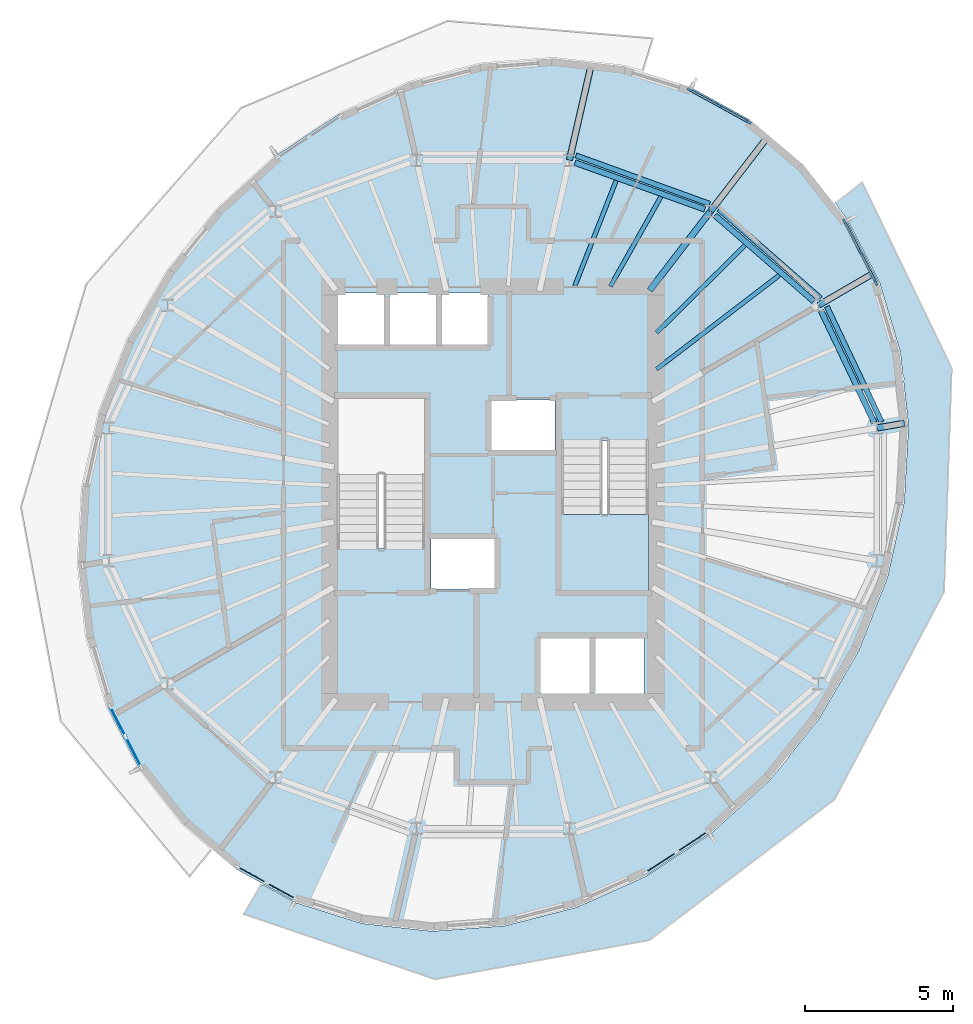
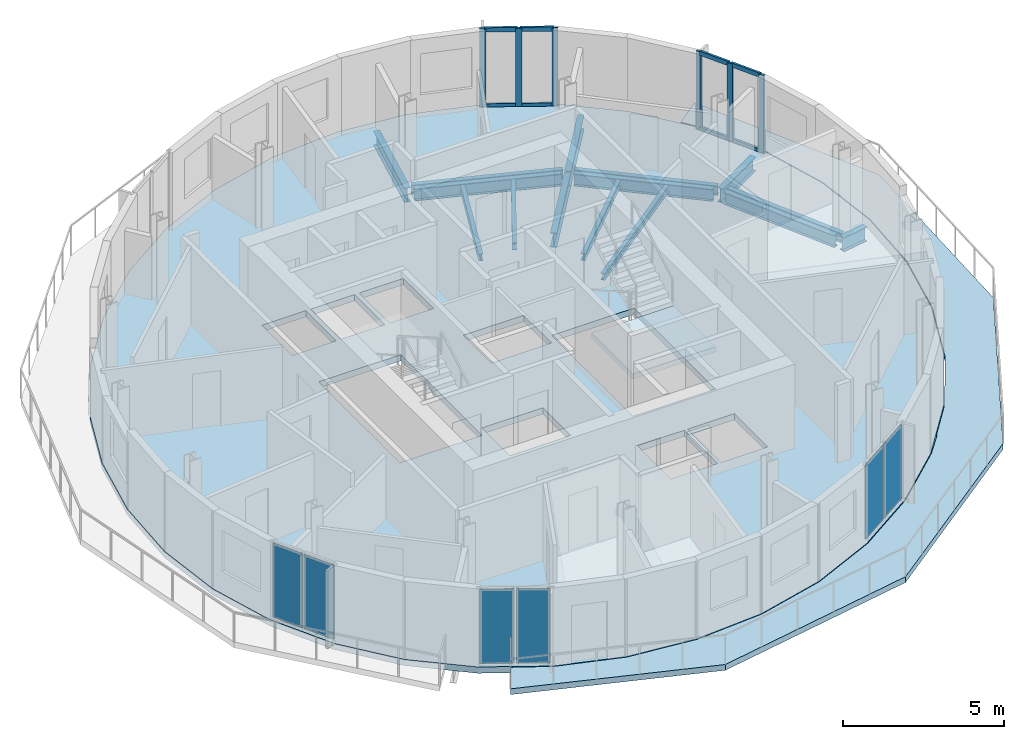
# One storey, part 3 of 11: 15 beams, 14 members, 6 plates, 3 slabs, 6 elements without a shape of their own.
"""IFC4 building model written with IfcOpenShell, lengths in metres."""

from ifc_helpers import new_model, si_unit, direction, frame, origin, origin_2d, place, context, subcontext, project, spatial, polyline, rectangle, i_section, outline, extrude, material, layer, layer_set, material_profile, profile_set, type_object, element, aggregate, save


model = new_model("IFC4")

# Units and contexts
model_context = context("Model", 3, precision=1e-05, world=origin(), true_north=direction((0.0, 1.0)))
body_context = subcontext(model_context, "Body", "Model", "MODEL_VIEW")
ifc_project = project(units=[si_unit("LENGTHUNIT", "METRE"), si_unit("AREAUNIT", "SQUARE_METRE"), si_unit("VOLUMEUNIT", "CUBIC_METRE"), si_unit("PLANEANGLEUNIT", "RADIAN"), si_unit("MASSUNIT", "GRAM", prefix="KILO")], contexts=[model_context])

# Site, building, storey
site_placement = place(None, origin())
site = spatial("IfcSite", under=ifc_project, at=site_placement, CompositionType="ELEMENT")
building_placement = place(site_placement, origin())
building = spatial("IfcBuilding", under=site, at=building_placement, Name="Veldorim Arch Residences", CompositionType="ELEMENT")
storey_placement = place(building_placement, frame((0.0, 0.0, 223.840087890625)))
storey = spatial("IfcBuildingStorey", under=building, at=storey_placement, Name="L67", CompositionType="ELEMENT", Elevation=223.840087890625)

# Beams
ifc_material_1 = material(Name="Steel S355", Category="steel")
ifc_material_profile_1 = material_profile(ifc_material_1, i_section(OverallWidth=0.2119140625, OverallDepth=0.54443359375, WebThickness=0.0126953125, FlangeThickness=0.021240234375, at=origin_2d()), Name="UB533x210x122")
ifc_profile_set_1 = profile_set([ifc_material_profile_1], Name="Steel S355")
beam_type_1 = type_object("IfcBeamType", Name="Structural Steel Beam UB533x210x122", PredefinedType="BEAM", material=ifc_profile_set_1)
beam_1_placement = place(storey_placement, frame((44.966064453125, 26.242919921875, -0.512451171875), z_axis=(0.985342848414, 0.170585670791, 0.0), x_axis=(-0.170585670791, 0.985342848414, 0.0)))
element("IfcBeam", 1, at=beam_1_placement, inside=storey, type_object=beam_type_1, Name="L67 radial edge cantilever girder 01", PredefinedType="BEAM", context=body_context, shape_type="SweptSolid", body=[
    extrude(i_section(OverallWidth=0.2119140625, OverallDepth=0.54443359375, WebThickness=0.0126953125, FlangeThickness=0.021240234375, at=origin_2d()), origin(), (0.0, 0.0, 1.0), 0.927490234375),
])
beam_2_placement = place(storey_placement, frame((42.99267578125, 30.387939453125, -0.512451171875), z_axis=(0.864613318974, 0.502437865465, 0.0), x_axis=(-0.502437865465, 0.864613318974, 0.0)))
element("IfcBeam", 2, at=beam_2_placement, inside=storey, type_object=beam_type_1, Name="L67 radial edge cantilever girder 02", PredefinedType="BEAM", context=body_context, shape_type="SweptSolid", body=[
    extrude(i_section(OverallWidth=0.2119140625, OverallDepth=0.54443359375, WebThickness=0.0126953125, FlangeThickness=0.021240234375, at=origin_2d()), origin(), (0.0, 0.0, 1.0), 2.045166015625),
])
beam_3_placement = place(storey_placement, frame((37.28662109375, 30.881103515625, -0.512451171875), z_axis=(0.609258442308, 0.792971721108, 0.0), x_axis=(-0.792971721108, 0.609258442308, 0.0)))
element("IfcBeam", 3, at=beam_3_placement, inside=storey, type_object=beam_type_1, Name="L67 radial floor girder 03", PredefinedType="BEAM", context=body_context, shape_type="SweptSolid", body=[
    extrude(i_section(OverallWidth=0.2119140625, OverallDepth=0.54443359375, WebThickness=0.0126953125, FlangeThickness=0.021240234375, at=origin_2d()), origin(), (0.0, 0.0, 1.0), 3.339599609375),
])
beam_4_placement = place(storey_placement, frame((39.345703125, 33.561279296875, -0.512451171875), z_axis=(0.609235463965, 0.792989375369, 0.0), x_axis=(-0.792989375369, 0.609235463965, 0.0)))
element("IfcBeam", 4, at=beam_4_placement, inside=storey, type_object=beam_type_1, Name="L67 radial edge cantilever girder 03", PredefinedType="BEAM", context=body_context, shape_type="SweptSolid", body=[
    extrude(i_section(OverallWidth=0.2119140625, OverallDepth=0.54443359375, WebThickness=0.0126953125, FlangeThickness=0.021240234375, at=origin_2d()), origin(), (0.0, 0.0, 1.0), 3.103759765625),
])
beam_5_placement = place(storey_placement, frame((34.57958984375, 35.27880859375, -0.512451171875), z_axis=(0.223019615736, 0.97481395712, 0.0), x_axis=(-0.97481395712, 0.223019615736, 0.0)))
element("IfcBeam", 5, at=beam_5_placement, inside=storey, type_object=beam_type_1, Name="L67 radial edge cantilever girder 04", PredefinedType="BEAM", context=body_context, shape_type="SweptSolid", body=[
    extrude(i_section(OverallWidth=0.2119140625, OverallDepth=0.54443359375, WebThickness=0.0126953125, FlangeThickness=0.021240234375, at=origin_2d()), origin(), (0.0, 0.0, 1.0), 3.2666015625),
])
ifc_material_2 = material(Name="Steel S355", Category="steel")
ifc_material_profile_2 = material_profile(ifc_material_2, i_section(OverallWidth=0.146484375, OverallDepth=0.256103515625, WebThickness=0.00634765625, FlangeThickness=0.010986328125, at=origin_2d()), Name="UB254x146x37")
ifc_profile_set_2 = profile_set([ifc_material_profile_2], Name="Steel S355")
beam_type_2 = type_object("IfcBeamType", Name="Structural Steel Joist UB254x146x37", PredefinedType="JOIST", material=ifc_profile_set_2)
beam_6_placement = place(storey_placement, frame((37.515869140625, 28.222900390625, -0.3681640625), z_axis=(0.794013672216, 0.607899899929, 0.0), x_axis=(-0.607899899929, 0.794013672216, 0.0)))
element("IfcBeam", 6, at=beam_6_placement, inside=storey, type_object=beam_type_2, Name="L67 secondary radial floor joist 02-1", PredefinedType="JOIST", context=body_context, shape_type="SweptSolid", body=[
    extrude(i_section(OverallWidth=0.146484375, OverallDepth=0.256103515625, WebThickness=0.00634765625, FlangeThickness=0.010986328125, at=origin_2d()), origin(), (0.0, 0.0, 1.0), 5.217041015625),
])
beam_7_placement = place(storey_placement, frame((37.51416015625, 29.44775390625, -0.3681640625), z_axis=(0.711396725432, 0.702790650937, 0.0), x_axis=(-0.702790650937, 0.711396725432, 0.0)))
element("IfcBeam", 7, at=beam_7_placement, inside=storey, type_object=beam_type_2, Name="L67 secondary radial floor joist 02-2", PredefinedType="JOIST", context=body_context, shape_type="SweptSolid", body=[
    extrude(i_section(OverallWidth=0.146484375, OverallDepth=0.256103515625, WebThickness=0.00634765625, FlangeThickness=0.010986328125, at=origin_2d()), origin(), (0.0, 0.0, 1.0), 4.198486328125),
])
beam_8_placement = place(storey_placement, frame((35.960205078125, 31.017333984375, -0.3681640625), z_axis=(0.491452469585, 0.870904397818, 0.0), x_axis=(-0.870904397818, 0.491452469585, 0.0)))
element("IfcBeam", 8, at=beam_8_placement, inside=storey, type_object=beam_type_2, Name="L67 secondary radial floor joist 03-1", PredefinedType="JOIST", context=body_context, shape_type="SweptSolid", body=[
    extrude(i_section(OverallWidth=0.146484375, OverallDepth=0.256103515625, WebThickness=0.00634765625, FlangeThickness=0.010986328125, at=origin_2d()), origin(), (0.0, 0.0, 1.0), 3.472412109375),
])
beam_9_placement = place(storey_placement, frame((34.75634765625, 31.0185546875, -0.3681640625), z_axis=(0.365581383042, 0.930779379001, 0.0), x_axis=(-0.930779379001, 0.365581383042, 0.0)))
element("IfcBeam", 9, at=beam_9_placement, inside=storey, type_object=beam_type_2, Name="L67 secondary radial floor joist 03-2", PredefinedType="JOIST", context=body_context, shape_type="SweptSolid", body=[
    extrude(i_section(OverallWidth=0.146484375, OverallDepth=0.256103515625, WebThickness=0.00634765625, FlangeThickness=0.010986328125, at=origin_2d()), origin(), (0.0, 0.0, 1.0), 3.83056640625),
])
ifc_material_3 = material(Name="Steel S355", Category="steel")
ifc_material_profile_3 = material_profile(ifc_material_3, i_section(OverallWidth=0.172119140625, OverallDepth=0.35791015625, WebThickness=0.008056640625, FlangeThickness=0.012939453125, at=origin_2d()), Name="UB356x171x57")
ifc_profile_set_3 = profile_set([ifc_material_profile_3], Name="Steel S355")
beam_type_3 = type_object("IfcBeamType", Name="Structural Steel Spandrel UB356x171x57", PredefinedType="SPANDREL", material=ifc_profile_set_3)
beam_10_placement = place(storey_placement, frame((45.106201171875, 26.4423828125, -0.439208984375), z_axis=(-0.428468601304, 0.903556670994, 0.0), x_axis=(-0.903556670994, -0.428468601304, 0.0)))
element("IfcBeam", 10, at=beam_10_placement, inside=storey, type_object=beam_type_3, Name="L67 perimeter chord spandrel beam 01", PredefinedType="SPANDREL", context=body_context, shape_type="SweptSolid", body=[
    extrude(i_section(OverallWidth=0.172119140625, OverallDepth=0.35791015625, WebThickness=0.008056640625, FlangeThickness=0.012939453125, at=origin_2d()), origin(), (0.0, 0.0, 1.0), 4.31005859375),
])
beam_11_placement = place(storey_placement, frame((43.048095703125, 30.6162109375, -0.439208984375), z_axis=(-0.752868439096, 0.658171036596, 0.0), x_axis=(-0.658171036596, -0.752868439096, 0.0)))
element("IfcBeam", 11, at=beam_11_placement, inside=storey, type_object=beam_type_3, Name="L67 perimeter chord spandrel beam 02", PredefinedType="SPANDREL", context=body_context, shape_type="SweptSolid", body=[
    extrude(i_section(OverallWidth=0.172119140625, OverallDepth=0.35791015625, WebThickness=0.008056640625, FlangeThickness=0.012939453125, at=origin_2d()), origin(), (0.0, 0.0, 1.0), 4.560791015625),
])
beam_12_placement = place(storey_placement, frame((39.311279296875, 33.796630859375, -0.439208984375), z_axis=(-0.940178823137, 0.340681347486, 0.0), x_axis=(-0.340681347486, -0.940178823137, 0.0)))
element("IfcBeam", 12, at=beam_12_placement, inside=storey, type_object=beam_type_3, Name="L67 perimeter chord spandrel beam 03", PredefinedType="SPANDREL", context=body_context, shape_type="SweptSolid", body=[
    extrude(i_section(OverallWidth=0.172119140625, OverallDepth=0.35791015625, WebThickness=0.008056640625, FlangeThickness=0.012939453125, at=origin_2d()), origin(), (0.0, 0.0, 1.0), 4.80126953125),
])
ifc_material_4 = material(Name="Steel S355", Category="steel")
ifc_material_profile_4 = material_profile(ifc_material_4, i_section(OverallWidth=0.19140625, OverallDepth=0.4599609375, WebThickness=0.010009765625, FlangeThickness=0.01611328125, at=origin_2d()), Name="UB457x191x82")
ifc_profile_set_4 = profile_set([ifc_material_profile_4], Name="Steel S355")
beam_type_4 = type_object("IfcBeamType", Name="Structural Steel Spandrel UB457x191x82", PredefinedType="SPANDREL", material=ifc_profile_set_4)
beam_13_placement = place(storey_placement, frame((44.85888671875, 26.42333984375, -0.469970703125), z_axis=(-0.429992574394, 0.902832424078, 0.0), x_axis=(-0.902832424078, -0.429992574394, 0.0)))
element("IfcBeam", 13, at=beam_13_placement, inside=storey, type_object=beam_type_4, Name="L67 perimeter ring tie beam 01", PredefinedType="SPANDREL", context=body_context, shape_type="SweptSolid", body=[
    extrude(i_section(OverallWidth=0.19140625, OverallDepth=0.4599609375, WebThickness=0.010009765625, FlangeThickness=0.01611328125, at=origin_2d()), origin(), (0.0, 0.0, 1.0), 4.176513671875),
])
beam_14_placement = place(storey_placement, frame((42.82177734375, 30.511474609375, -0.469970703125), z_axis=(-0.754534162517, 0.656260769508, 0.0), x_axis=(-0.656260769508, -0.754534162517, 0.0)))
element("IfcBeam", 14, at=beam_14_placement, inside=storey, type_object=beam_type_4, Name="L67 perimeter ring tie beam 02", PredefinedType="SPANDREL", context=body_context, shape_type="SweptSolid", body=[
    extrude(i_section(OverallWidth=0.19140625, OverallDepth=0.4599609375, WebThickness=0.010009765625, FlangeThickness=0.01611328125, at=origin_2d()), origin(), (0.0, 0.0, 1.0), 4.419677734375),
])
beam_15_placement = place(storey_placement, frame((39.14208984375, 33.6142578125, -0.469970703125), z_axis=(-0.940819134121, 0.338909068736, 0.0), x_axis=(-0.338909068736, -0.940819134121, 0.0)))
element("IfcBeam", 15, at=beam_15_placement, inside=storey, type_object=beam_type_4, Name="L67 perimeter ring tie beam 03", PredefinedType="SPANDREL", context=body_context, shape_type="SweptSolid", body=[
    extrude(i_section(OverallWidth=0.19140625, OverallDepth=0.4599609375, WebThickness=0.010009765625, FlangeThickness=0.01611328125, at=origin_2d()), origin(), (0.0, 0.0, 1.0), 4.650634765625),
])

# Curtain wall, members
ifc_material_5 = material(Name="Aluminium", Category="aluminium")
curtain_wall_type = type_object("IfcCurtainWallType", Name="Zone 4 High-Altitude Unitised Curtain Wall", PredefinedType="NOTDEFINED", material=ifc_material_5)
curtain_wall_1_placement = place(storey_placement, origin())
curtain_wall_1 = element("IfcCurtainWall", 16, at=curtain_wall_1_placement, inside=storey, type_object=curtain_wall_type, Name="L67 unitised curtain wall bay 01", PredefinedType="NOTDEFINED")
ifc_material_6 = material(Name="Aluminium", Category="aluminium")
ifc_material_profile_5 = material_profile(ifc_material_6, rectangle(XDim=0.074951171875, YDim=0.195068359375, at=origin_2d()), Name="ALU_MUL_75x195")
ifc_profile_set_5 = profile_set([ifc_material_profile_5], Name="Aluminium")
member_type_1 = type_object("IfcMemberType", Name="Zone 4 High-Altitude Unitised Curtain Wall Mullion 75x195", PredefinedType="MULLION", material=ifc_profile_set_5)
member_1_placement = place(storey_placement, frame((38.64306640625, 37.639892578125, 0.0), z_axis=(0.0, 0.0, 1.0), x_axis=(0.48195342655, 0.876196835555, 0.0)))
member_1 = element("IfcMember", 17, at=member_1_placement, type_object=member_type_1, Name="CW-Z4 mullion 1", PredefinedType="MULLION", context=body_context, shape_type="SweptSolid", body=[
    extrude(rectangle(XDim=0.074951171875, YDim=0.195068359375, at=origin_2d()), origin(), (0.0, 0.0, 1.0), 2.9599609375),
])
member_2_placement = place(storey_placement, frame((39.628662109375, 37.097900390625, 0.0), z_axis=(0.0, 0.0, 1.0), x_axis=(0.48195342655, 0.876196835555, 0.0)))
member_2 = element("IfcMember", 18, at=member_2_placement, type_object=member_type_1, Name="CW-Z4 mullion 2", PredefinedType="MULLION", context=body_context, shape_type="SweptSolid", body=[
    extrude(rectangle(XDim=0.074951171875, YDim=0.195068359375, at=origin_2d()), origin(), (0.0, 0.0, 1.0), 2.9599609375),
])
member_3_placement = place(storey_placement, frame((40.6142578125, 36.5556640625, 0.0), z_axis=(0.0, 0.0, 1.0), x_axis=(0.48195342655, 0.876196835555, 0.0)))
member_3 = element("IfcMember", 19, at=member_3_placement, type_object=member_type_1, Name="CW-Z4 mullion 3", PredefinedType="MULLION", context=body_context, shape_type="SweptSolid", body=[
    extrude(rectangle(XDim=0.074951171875, YDim=0.195068359375, at=origin_2d()), origin(), (0.0, 0.0, 1.0), 2.9599609375),
])

curtain_wall_2_placement = place(storey_placement, origin())
curtain_wall_2 = element("IfcCurtainWall", 20, at=curtain_wall_2_placement, inside=storey, type_object=curtain_wall_type, Name="L67 unitised curtain wall bay 34", PredefinedType="NOTDEFINED")
member_4_placement = place(storey_placement, frame((43.85546875, 33.19677734375, 0.0), z_axis=(0.0, 0.0, 1.0), x_axis=(0.889131048935, 0.457652682523, 0.0)))
member_4 = element("IfcMember", 21, at=member_4_placement, type_object=member_type_1, Name="CW-Z4 mullion 1", PredefinedType="MULLION", context=body_context, shape_type="SweptSolid", body=[
    extrude(rectangle(XDim=0.074951171875, YDim=0.195068359375, at=origin_2d()), origin(), (0.0, 0.0, 1.0), 2.9599609375),
])
member_5_placement = place(storey_placement, frame((44.384521484375, 32.16845703125, 0.0), z_axis=(0.0, 0.0, 1.0), x_axis=(0.889131048935, 0.457652682523, 0.0)))
member_5 = element("IfcMember", 22, at=member_5_placement, type_object=member_type_1, Name="CW-Z4 mullion 2", PredefinedType="MULLION", context=body_context, shape_type="SweptSolid", body=[
    extrude(rectangle(XDim=0.074951171875, YDim=0.195068359375, at=origin_2d()), origin(), (0.0, 0.0, 1.0), 2.9599609375),
])
member_6_placement = place(storey_placement, frame((44.913818359375, 31.140380859375, 0.0), z_axis=(0.0, 0.0, 1.0), x_axis=(0.889131048935, 0.457652682523, 0.0)))
member_6 = element("IfcMember", 23, at=member_6_placement, type_object=member_type_1, Name="CW-Z4 mullion 3", PredefinedType="MULLION", context=body_context, shape_type="SweptSolid", body=[
    extrude(rectangle(XDim=0.074951171875, YDim=0.195068359375, at=origin_2d()), origin(), (0.0, 0.0, 1.0), 2.9599609375),
])

# Member
ifc_material_7 = material(Name="Aluminium", Category="aluminium")
ifc_material_profile_6 = material_profile(ifc_material_7, rectangle(XDim=0.074951171875, YDim=0.1650390625, at=origin_2d()), Name="ALU_TRN_75x165")
ifc_profile_set_6 = profile_set([ifc_material_profile_6], Name="Aluminium")
member_type_2 = type_object("IfcMemberType", Name="Zone 4 High-Altitude Unitised Curtain Wall Transom 75x165", PredefinedType="USERDEFINED", material=ifc_profile_set_6)
member_7_placement = place(storey_placement, frame((38.676025390625, 37.621826171875, 0.037353515625), z_axis=(0.876255185149, -0.481847331112, 0.0), x_axis=(0.481847331112, 0.876255185149, 0.0)))
member_7 = element("IfcMember", 24, at=member_7_placement, type_object=member_type_2, Name="CW-Z4 transom 1.1", ObjectType="TRANSOM", PredefinedType="USERDEFINED", context=body_context, shape_type="SweptSolid", body=[
    extrude(rectangle(XDim=0.074951171875, YDim=0.1650390625, at=origin_2d()), origin(), (0.0, 0.0, 1.0), 1.0498046875),
])

member_8_placement = place(storey_placement, frame((38.676025390625, 37.621826171875, 2.92236328125), z_axis=(0.876255185149, -0.481847331112, 0.0), x_axis=(0.481847331112, 0.876255185149, 0.0)))
member_8 = element("IfcMember", 25, at=member_8_placement, type_object=member_type_2, Name="CW-Z4 transom 1.2", ObjectType="TRANSOM", PredefinedType="USERDEFINED", context=body_context, shape_type="SweptSolid", body=[
    extrude(rectangle(XDim=0.074951171875, YDim=0.1650390625, at=origin_2d()), origin(), (0.0, 0.0, 1.0), 1.0498046875),
])

member_9_placement = place(storey_placement, frame((39.66162109375, 37.079833984375, 0.037353515625), z_axis=(0.876156989658, -0.482025859756, 0.0), x_axis=(0.482025859756, 0.876156989658, 0.0)))
member_9 = element("IfcMember", 26, at=member_9_placement, type_object=member_type_2, Name="CW-Z4 transom 2.1", ObjectType="TRANSOM", PredefinedType="USERDEFINED", context=body_context, shape_type="SweptSolid", body=[
    extrude(rectangle(XDim=0.074951171875, YDim=0.1650390625, at=origin_2d()), origin(), (0.0, 0.0, 1.0), 1.050048828125),
])

member_10_placement = place(storey_placement, frame((39.66162109375, 37.079833984375, 2.92236328125), z_axis=(0.876156989658, -0.482025859756, 0.0), x_axis=(0.482025859756, 0.876156989658, 0.0)))
member_10 = element("IfcMember", 27, at=member_10_placement, type_object=member_type_2, Name="CW-Z4 transom 2.2", ObjectType="TRANSOM", PredefinedType="USERDEFINED", context=body_context, shape_type="SweptSolid", body=[
    extrude(rectangle(XDim=0.074951171875, YDim=0.1650390625, at=origin_2d()), origin(), (0.0, 0.0, 1.0), 1.050048828125),
])

aggregate(curtain_wall_1, [member_1, member_2, member_3, member_7, member_8, member_9, member_10])

member_11_placement = place(storey_placement, frame((43.87255859375, 33.163330078125, 0.037353515625), z_axis=(0.457659181253, -0.889127703885, 0.0), x_axis=(0.889127703885, 0.457659181253, 0.0)))
member_11 = element("IfcMember", 28, at=member_11_placement, type_object=member_type_2, Name="CW-Z4 transom 1.1", ObjectType="TRANSOM", PredefinedType="USERDEFINED", context=body_context, shape_type="SweptSolid", body=[
    extrude(rectangle(XDim=0.074951171875, YDim=0.1650390625, at=origin_2d()), origin(), (0.0, 0.0, 1.0), 1.081298828125),
])

member_12_placement = place(storey_placement, frame((43.87255859375, 33.163330078125, 2.92236328125), z_axis=(0.457659181253, -0.889127703885, 0.0), x_axis=(0.889127703885, 0.457659181253, 0.0)))
member_12 = element("IfcMember", 29, at=member_12_placement, type_object=member_type_2, Name="CW-Z4 transom 1.2", ObjectType="TRANSOM", PredefinedType="USERDEFINED", context=body_context, shape_type="SweptSolid", body=[
    extrude(rectangle(XDim=0.074951171875, YDim=0.1650390625, at=origin_2d()), origin(), (0.0, 0.0, 1.0), 1.081298828125),
])

member_13_placement = place(storey_placement, frame((44.40185546875, 32.13525390625, 0.037353515625), z_axis=(0.457567322801, -0.889174980026, 0.0), x_axis=(0.889174980026, 0.457567322801, 0.0)))
member_13 = element("IfcMember", 30, at=member_13_placement, type_object=member_type_2, Name="CW-Z4 transom 2.1", ObjectType="TRANSOM", PredefinedType="USERDEFINED", context=body_context, shape_type="SweptSolid", body=[
    extrude(rectangle(XDim=0.074951171875, YDim=0.1650390625, at=origin_2d()), origin(), (0.0, 0.0, 1.0), 1.08154296875),
])

member_14_placement = place(storey_placement, frame((44.40185546875, 32.13525390625, 2.92236328125), z_axis=(0.457567322801, -0.889174980026, 0.0), x_axis=(0.889174980026, 0.457567322801, 0.0)))
member_14 = element("IfcMember", 31, at=member_14_placement, type_object=member_type_2, Name="CW-Z4 transom 2.2", ObjectType="TRANSOM", PredefinedType="USERDEFINED", context=body_context, shape_type="SweptSolid", body=[
    extrude(rectangle(XDim=0.074951171875, YDim=0.1650390625, at=origin_2d()), origin(), (0.0, 0.0, 1.0), 1.08154296875),
])

aggregate(curtain_wall_2, [member_4, member_5, member_6, member_11, member_12, member_13, member_14])

# Slab
ifc_material_8 = material(Name="Concrete C40/50", Category="concrete")
ifc_layer_1 = layer(ifc_material_8, 0.219970703125, Name="Planted Crescent Cantilever Balcony Slab 220")
ifc_layer_set_1 = layer_set([ifc_layer_1], Name="Concrete C40/50")
slab_type_1 = type_object("IfcSlabType", Name="Planted Crescent Cantilever Balcony Slab 220", PredefinedType="FLOOR", material=ifc_layer_set_1)
slab_1_placement = place(storey_placement, frame((0.0, 0.0, -0.219970703125)))
element("IfcSlab", 32, at=slab_1_placement, inside=storey, type_object=slab_type_1, Name="L67 planted crescent balcony slab B", PredefinedType="FLOOR", context=body_context, shape_type="SweptSolid", body=[
    extrude(outline(polyline([(24.3037109375, 10.80810546875), (25.33642578125, 10.239990234375), (27.580078125, 9.535400390625), (29.9580078125, 9.270751953125), (32.397705078125, 9.45361328125), (34.8251953125, 10.078369140625), (37.16650390625, 11.1259765625), (39.35107421875, 12.564697265625), (41.31201171875, 14.3505859375), (41.93212890625, 15.08447265625), (41.990478515625, 15.19140625), (42.989990234375, 16.4296875), (44.33447265625, 18.73876953125), (45.30419921875, 21.20751953125), (45.869873046875, 23.76123046875), (46.014404296875, 26.322265625), (45.847412109375, 27.79931640625), (45.8583984375, 27.9248046875), (45.8232421875, 28.014404296875), (45.73291015625, 28.81298828125), (45.0341796875, 31.15771484375), (43.939208984375, 33.284912109375), (43.546142578125, 33.817138671875), (44.449462890625, 34.52880859375), (47.470947265625, 28.262939453125), (47.212890625, 20.7119140625), (43.517822265625, 13.707763671875), (37.28125, 8.970947265625), (30.0439453125, 7.64990234375), (23.59912109375, 9.8466796875), (24.1767578125, 10.8408203125), (24.3037109375, 10.80810546875)])), origin(), (0.0, 0.0, 1.0), 0.219970703125),
])

# Stair, slab
ifc_material_9 = material(Name="Concrete C40/50", Category="concrete")
stair_type = type_object("IfcStairType", Name="Reinforced Concrete Dogleg Exit Staircase", PredefinedType="HALF_TURN_STAIR", material=ifc_material_9)
stair_placement = place(storey_placement, origin())
stair = element("IfcStair", 33, at=stair_placement, inside=storey, type_object=stair_type, Name="L67 Exit Staircase ST-2", PredefinedType="HALF_TURN_STAIR")
ifc_material_10 = material(Name="Concrete C40/50", Category="concrete")
ifc_layer_2 = layer(ifc_material_10, 0.199951171875, Name="Reinforced Concrete Stair Landing 200")
ifc_layer_set_2 = layer_set([ifc_layer_2], Name="Concrete C40/50")
slab_type_2 = type_object("IfcSlabType", Name="Reinforced Concrete Stair Landing 200", PredefinedType="LANDING", material=ifc_layer_set_2)
slab_2_placement = place(storey_placement, frame((0.0, 0.0, 1.39990234375)))
slab_2 = element("IfcSlab", 34, at=slab_2_placement, type_object=slab_type_2, Name="ST-2 landing 1", PredefinedType="LANDING", context=body_context, shape_type="SweptSolid", body=[
    extrude(outline(polyline([(34.2900390625, 23.330078125), (34.2900390625, 20.75), (37.25, 20.75), (37.25, 23.330078125), (34.2900390625, 23.330078125)])), origin(), (0.0, 0.0, 1.0), 0.199951171875),
])
aggregate(stair, [slab_2])

# Slab
ifc_material_11 = material(Name="Concrete C40/50", Category="concrete")
ifc_layer_3 = layer(ifc_material_11, 0.239990234375, Name="Typical Residential Floor Slab 240")
ifc_layer_set_3 = layer_set([ifc_layer_3], Name="Concrete C40/50")
slab_type_3 = type_object("IfcSlabType", Name="Typical Residential Floor Slab 240", PredefinedType="FLOOR", material=ifc_layer_set_3)
slab_3_placement = place(storey_placement, frame((0.0, 0.0, -0.239990234375)))
element("IfcSlab", 35, at=slab_3_placement, inside=storey, type_object=slab_type_3, Name="L67 tower structural floor slab", PredefinedType="FLOOR", context=body_context, shape_type="SweptSolid", body=[
    extrude(outline(polyline([(40.690673828125, 36.616455078125), (38.65380859375, 37.73681640625), (36.414794921875, 38.43994140625), (34.04150390625, 38.7041015625), (31.606201171875, 38.521728515625), (29.18310546875, 37.89794921875), (26.845458984375, 36.85205078125), (24.664306640625, 35.415283203125), (22.706298828125, 33.632080078125), (21.030517578125, 31.555908203125), (19.68798828125, 29.25048828125), (18.7197265625, 26.78515625), (18.15478515625, 24.2353515625), (18.0107421875, 21.678466796875), (18.29150390625, 19.192138671875), (18.989013671875, 16.851806640625), (20.081787109375, 14.728759765625), (21.53662109375, 12.88720703125), (23.309326171875, 11.383544921875), (25.34619140625, 10.26318359375), (27.585205078125, 9.56005859375), (29.95849609375, 9.2958984375), (32.393798828125, 9.478271484375), (34.81689453125, 10.10205078125), (37.154541015625, 11.14794921875), (39.335693359375, 12.584716796875), (41.293701171875, 14.367919921875), (42.969482421875, 16.444091796875), (44.31201171875, 18.74951171875), (45.2802734375, 21.21484375), (45.84521484375, 23.7646484375), (45.9892578125, 26.321533203125), (45.70849609375, 28.807861328125), (45.010986328125, 31.148193359375), (43.918212890625, 33.271240234375), (42.46337890625, 35.11279296875), (40.690673828125, 36.616455078125)]), holes=[polyline([(33.610107421875, 17.2099609375), (33.610107421875, 19.2900390625), (35.2900390625, 19.2900390625), (35.2900390625, 17.2099609375), (33.610107421875, 17.2099609375)]), polyline([(35.409912109375, 17.2099609375), (35.409912109375, 19.2900390625), (37.090087890625, 19.2900390625), (37.090087890625, 17.2099609375), (35.409912109375, 17.2099609375)]), polyline([(29.909912109375, 20.81494140625), (29.909912109375, 22.544921875), (32.090087890625, 22.544921875), (32.090087890625, 20.81494140625), (29.909912109375, 20.81494140625)]), polyline([(34.2900390625, 20.75), (34.2900390625, 25.804931640625), (37.25, 25.804931640625), (37.25, 20.75), (34.2900390625, 20.75)]), polyline([(26.75, 22.195068359375), (26.75, 27.25), (29.7099609375, 27.25), (29.7099609375, 22.195068359375), (26.75, 22.195068359375)]), polyline([(31.909912109375, 25.455078125), (31.909912109375, 27.18505859375), (34.090087890625, 27.18505859375), (34.090087890625, 25.455078125), (31.909912109375, 25.455078125)]), polyline([(26.760009765625, 28.909912109375), (26.760009765625, 30.7900390625), (28.340087890625, 30.7900390625), (28.340087890625, 28.909912109375), (26.760009765625, 28.909912109375)]), polyline([(28.510009765625, 30.7900390625), (30.090087890625, 30.7900390625), (30.090087890625, 28.909912109375), (28.510009765625, 28.909912109375), (28.510009765625, 30.7900390625)]), polyline([(30.260009765625, 30.7900390625), (31.840087890625, 30.7900390625), (31.840087890625, 28.909912109375), (30.260009765625, 28.909912109375), (30.260009765625, 30.7900390625)])]), origin(), (0.0, 0.0, 1.0), 0.239990234375),
])

# Curtain wall, plates
curtain_wall_3_placement = place(storey_placement, origin())
curtain_wall_3 = element("IfcCurtainWall", 36, at=curtain_wall_3_placement, inside=storey, type_object=curtain_wall_type, Name="L67 unitised curtain wall bay 16", PredefinedType="NOTDEFINED")
ifc_material_12 = material(Name="Laminated Low-E Glass", Category="glass")
ifc_layer_4 = layer(ifc_material_12, 0.030029296875, Name="Zone 4 High-Altitude Unitised Curtain Wall Glazing Panel 30")
ifc_layer_set_4 = layer_set([ifc_layer_4], Name="Laminated Low-E Glass")
plate_type = type_object("IfcPlateType", Name="Zone 4 High-Altitude Unitised Curtain Wall Glazing Panel 30", PredefinedType="CURTAIN_PANEL", material=ifc_layer_set_4)
plate_1_placement = place(storey_placement, frame((19.880126953125, 15.3173828125, 0.074951171875), z_axis=(0.0, 0.0, 1.0), x_axis=(-0.457652682523, 0.889131048935, 0.0)))
plate_1 = element("IfcPlate", 37, at=plate_1_placement, type_object=plate_type, Name="CW-Z4 panel 1.1", PredefinedType="CURTAIN_PANEL", context=body_context, shape_type="SweptSolid", body=[
    extrude(rectangle(XDim=1.081298828125, YDim=0.030029296875, at=origin_2d()), origin(), (0.0, 0.0, 1.0), 2.81005859375),
])
plate_2_placement = place(storey_placement, frame((19.350830078125, 16.345458984375, 0.074951171875), z_axis=(0.0, 0.0, 1.0), x_axis=(-0.457652682523, 0.889131048935, 0.0)))
plate_2 = element("IfcPlate", 38, at=plate_2_placement, type_object=plate_type, Name="CW-Z4 panel 2.1", PredefinedType="CURTAIN_PANEL", context=body_context, shape_type="SweptSolid", body=[
    extrude(rectangle(XDim=1.081298828125, YDim=0.030029296875, at=origin_2d()), origin(), (0.0, 0.0, 1.0), 2.81005859375),
])
aggregate(curtain_wall_3, [plate_1, plate_2])

curtain_wall_4_placement = place(storey_placement, origin())
curtain_wall_4 = element("IfcCurtainWall", 39, at=curtain_wall_4_placement, inside=storey, type_object=curtain_wall_type, Name="L67 unitised curtain wall bay 19", PredefinedType="NOTDEFINED")
plate_3_placement = place(storey_placement, frame((24.864013671875, 10.631103515625, 0.074951171875), z_axis=(0.0, 0.0, 1.0), x_axis=(-0.876196835555, 0.48195342655, 0.0)))
plate_3 = element("IfcPlate", 40, at=plate_3_placement, type_object=plate_type, Name="CW-Z4 panel 1.1", PredefinedType="CURTAIN_PANEL", context=body_context, shape_type="SweptSolid", body=[
    extrude(rectangle(XDim=1.0498046875, YDim=0.030029296875, at=origin_2d()), origin(), (0.0, 0.0, 1.0), 2.81005859375),
])
plate_4_placement = place(storey_placement, frame((23.87841796875, 11.17333984375, 0.074951171875), z_axis=(0.0, 0.0, 1.0), x_axis=(-0.876196835555, 0.48195342655, 0.0)))
plate_4 = element("IfcPlate", 41, at=plate_4_placement, type_object=plate_type, Name="CW-Z4 panel 2.1", PredefinedType="CURTAIN_PANEL", context=body_context, shape_type="SweptSolid", body=[
    extrude(rectangle(XDim=1.0498046875, YDim=0.030029296875, at=origin_2d()), origin(), (0.0, 0.0, 1.0), 2.81005859375),
])
aggregate(curtain_wall_4, [plate_3, plate_4])

curtain_wall_5_placement = place(storey_placement, origin())
curtain_wall_5 = element("IfcCurtainWall", 42, at=curtain_wall_5_placement, inside=storey, type_object=curtain_wall_type, Name="L67 unitised curtain wall bay 25", PredefinedType="NOTDEFINED")
plate_5_placement = place(storey_placement, frame((38.72509765625, 12.290283203125, 0.074951171875), z_axis=(0.0, 0.0, 1.0), x_axis=(-0.835124104582, -0.550061569233, 0.0)))
plate_5 = element("IfcPlate", 43, at=plate_5_placement, type_object=plate_type, Name="CW-Z4 panel 1.1", PredefinedType="CURTAIN_PANEL", context=body_context, shape_type="SweptSolid", body=[
    extrude(rectangle(XDim=1.193359375, YDim=0.030029296875, at=origin_2d()), origin(), (0.0, 0.0, 1.0), 2.81005859375),
])
plate_6_placement = place(storey_placement, frame((37.666015625, 11.5927734375, 0.074951171875), z_axis=(0.0, 0.0, 1.0), x_axis=(-0.835124104582, -0.550061569233, 0.0)))
plate_6 = element("IfcPlate", 44, at=plate_6_placement, type_object=plate_type, Name="CW-Z4 panel 2.1", PredefinedType="CURTAIN_PANEL", context=body_context, shape_type="SweptSolid", body=[
    extrude(rectangle(XDim=1.193359375, YDim=0.030029296875, at=origin_2d()), origin(), (0.0, 0.0, 1.0), 2.81005859375),
])
aggregate(curtain_wall_5, [plate_5, plate_6])

save(model, "model.ifc")
